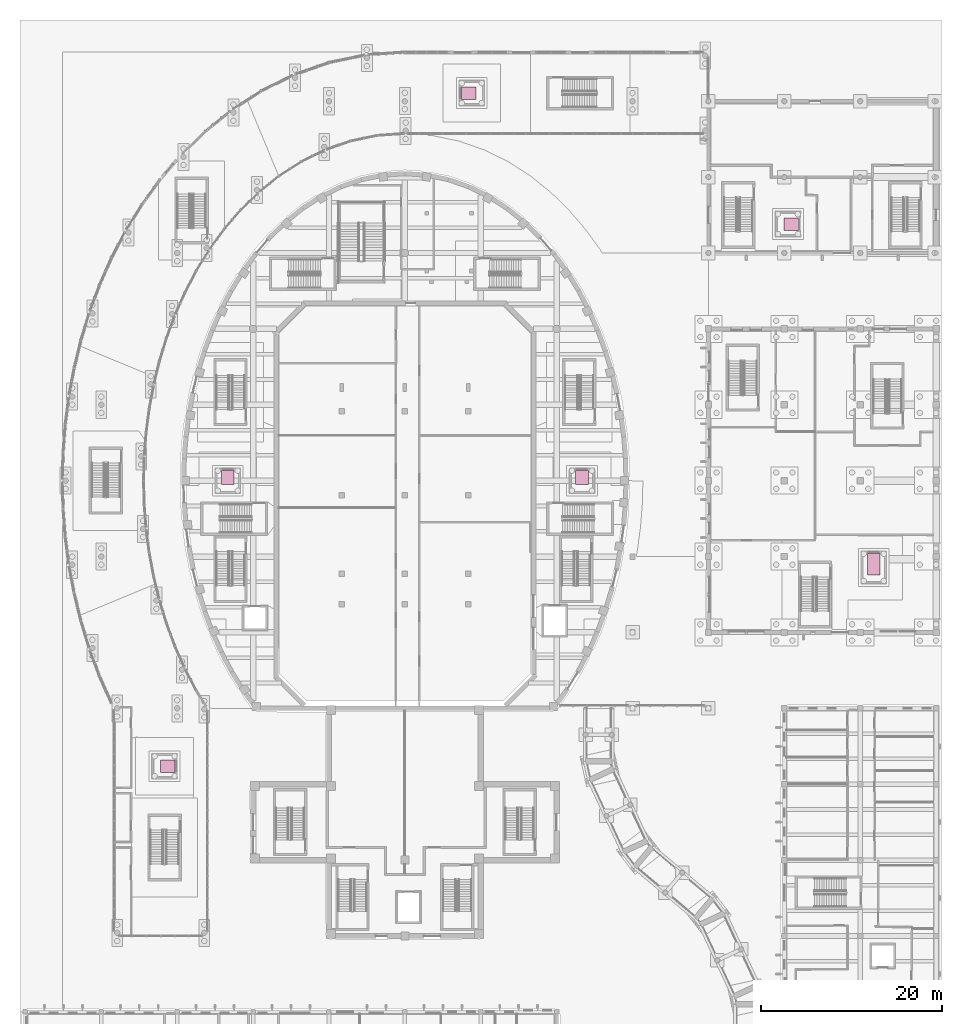
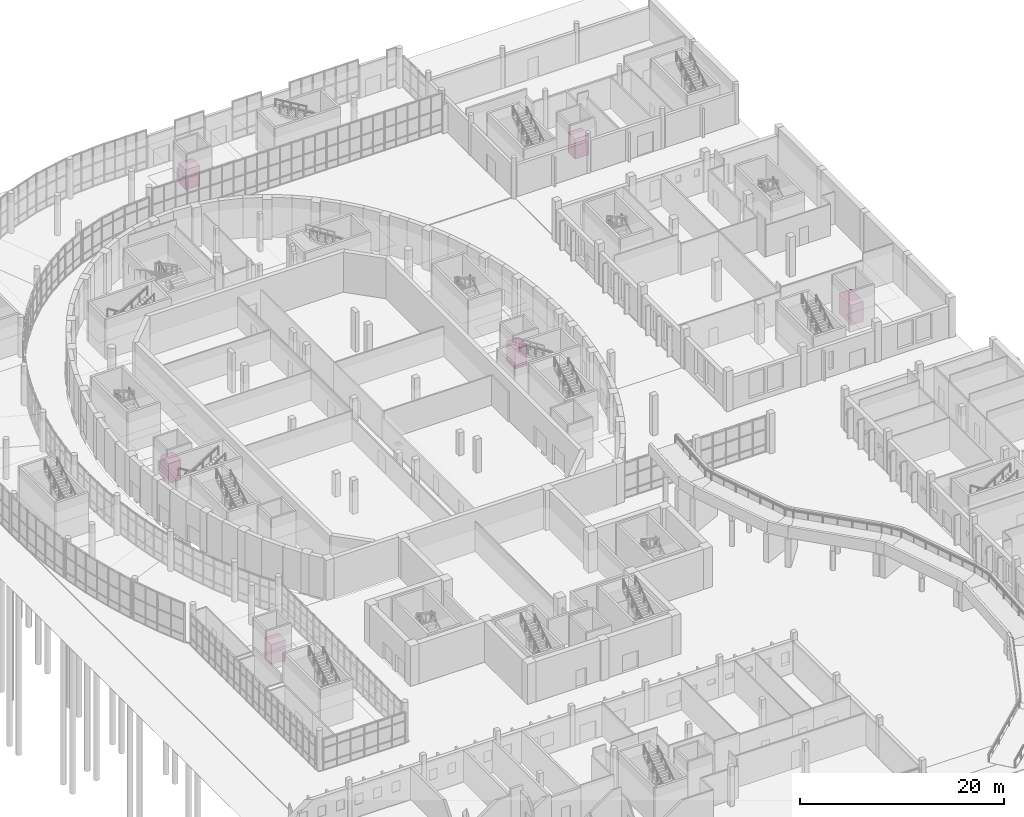
# One storey, part 110 of 110: 6 transport elements.
"""IFC4 building model written with IfcOpenShell, lengths in metres."""

from ifc_helpers import new_model, si_unit, direction, frame, origin, origin_2d, place, context, subcontext, project, spatial, rectangle, extrude, material, type_object, element, save


model = new_model("IFC4")

# Units and contexts
model_context = context("Model", 3, precision=1e-05, world=origin(), true_north=direction((0.0, 1.0)))
body_context = subcontext(model_context, "Body", "Model", "MODEL_VIEW")
ifc_project = project(units=[si_unit("LENGTHUNIT", "METRE"), si_unit("AREAUNIT", "SQUARE_METRE"), si_unit("VOLUMEUNIT", "CUBIC_METRE"), si_unit("PLANEANGLEUNIT", "RADIAN"), si_unit("MASSUNIT", "GRAM", prefix="KILO")], contexts=[model_context])

# Site, building, storey
site_placement = place(None, origin())
site = spatial("IfcSite", under=ifc_project, at=site_placement, CompositionType="ELEMENT")
building_placement = place(site_placement, origin())
building = spatial("IfcBuilding", under=site, at=building_placement, Name="Larchfold Concert Hall", CompositionType="ELEMENT")
storey_placement = place(building_placement, origin())
storey = spatial("IfcBuildingStorey", under=building, at=storey_placement, Name="L00", CompositionType="ELEMENT", Elevation=0.0)

# Transport elements
ifc_material_1 = material(Name="Stainless steel car lining", Category="steel")
transport_element_type_1 = type_object("IfcTransportElementType", Name="Lift car 1400 x 1600 1000 kg", PredefinedType="ELEVATOR", material=ifc_material_1)
for number, where, z_axis, x_axis, name in (
    (1, (62.199951171875, 84.949951171875, 0.02001953125), (0.0, 0.0, 1.0), (1.0, 0.0, 0.0), "Lift LF03"),
    (2, (23.0, 84.949951171875, 0.02001953125), (0.0, 0.0, 1.0), (1.0, 0.0, 0.0), "Lift LF04"),
):
    element("IfcTransportElement", number, at=place(storey_placement, frame(where, z_axis=z_axis, x_axis=x_axis)), inside=storey, type_object=transport_element_type_1, Name=name, PredefinedType="ELEVATOR", context=body_context, shape_type="SweptSolid", body=[
        extrude(rectangle(XDim=1.39990234375, YDim=1.60009765625, at=origin_2d()), origin(), (0.0, 0.0, 1.0), 2.39990234375),
    ])
for number, where, z_axis, x_axis, name in (
    (3, (85.349853515625, 113.0, 0.02001953125), (0.0, 0.0, 1.0), (1.0, 0.0, 0.0), "Lift LF09"),
    (4, (16.349853515625, 53.0, 0.0400390625), (0.0, 0.0, 1.0), (1.0, 0.0, 0.0), "Lift LF12"),
    (5, (49.650146484375, 127.5, 0.0400390625), (0.0, 0.0, 1.0), (1.0, 0.0, 0.0), "Lift LF13"),
):
    element("IfcTransportElement", number, at=place(storey_placement, frame(where, z_axis=z_axis, x_axis=x_axis)), inside=storey, type_object=transport_element_type_1, Name=name, PredefinedType="ELEVATOR", context=body_context, shape_type="SweptSolid", body=[
        extrude(rectangle(XDim=1.60009765625, YDim=1.39990234375, at=origin_2d()), origin(), (0.0, 0.0, 1.0), 2.39990234375),
    ])
ifc_material_2 = material(Name="Stainless steel car lining", Category="steel")
transport_element_type_2 = type_object("IfcTransportElementType", Name="Lift car 1400 x 2400 1600 kg", PredefinedType="ELEVATOR", material=ifc_material_2)
transport_element_placement = place(storey_placement, frame((94.5, 75.35009765625, 0.02001953125), z_axis=(0.0, 0.0, 1.0), x_axis=(1.0, 0.0, 0.0)))
element("IfcTransportElement", 6, at=transport_element_placement, inside=storey, type_object=transport_element_type_2, Name="Lift LF08", PredefinedType="ELEVATOR", context=body_context, shape_type="SweptSolid", body=[
    extrude(rectangle(XDim=1.39990234375, YDim=2.39990234375, at=origin_2d()), origin(), (0.0, 0.0, 1.0), 2.39990234375),
])

save(model, "model.ifc")
